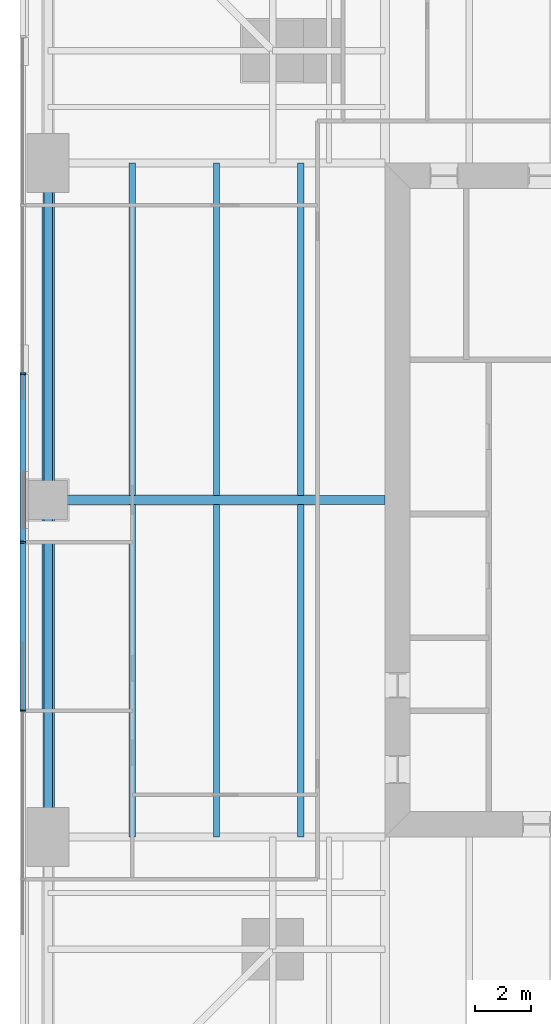
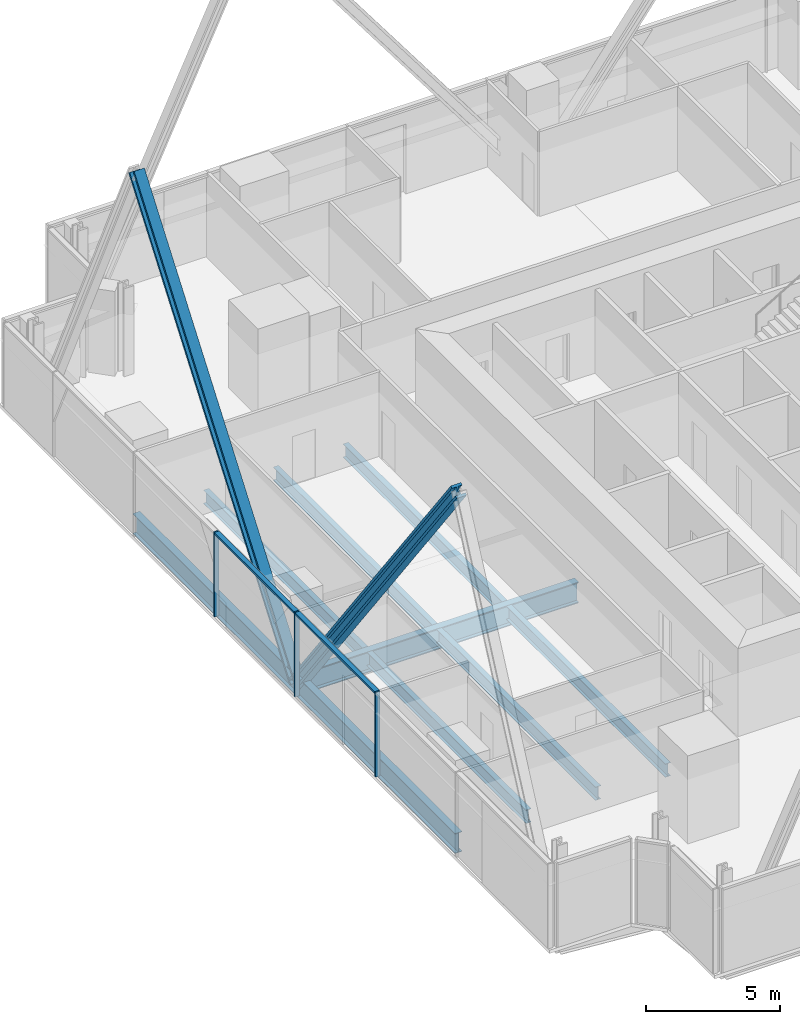
# One storey, part 4 of 13: 9 beams, 7 members, 1 element without a shape of its own.
"""IFC4 building model written with IfcOpenShell, lengths in metres."""

from ifc_helpers import new_model, si_unit, direction, frame, origin, origin_2d, place, context, subcontext, project, spatial, rectangle, i_section, extrude, material, material_profile, profile_set, type_object, element, aggregate, save


model = new_model("IFC4")

# Units and contexts
model_context = context("Model", 3, precision=1e-05, world=origin(), true_north=direction((0.0, 1.0)))
body_context = subcontext(model_context, "Body", "Model", "MODEL_VIEW")
ifc_project = project(units=[si_unit("LENGTHUNIT", "METRE"), si_unit("AREAUNIT", "SQUARE_METRE"), si_unit("VOLUMEUNIT", "CUBIC_METRE"), si_unit("PLANEANGLEUNIT", "RADIAN"), si_unit("MASSUNIT", "GRAM", prefix="KILO")], contexts=[model_context])

# Site, building, storey
site_placement = place(None, origin())
site = spatial("IfcSite", under=ifc_project, at=site_placement, CompositionType="ELEMENT")
building_placement = place(site_placement, origin())
building = spatial("IfcBuilding", under=site, at=building_placement, Name="Fenwick Lantern Interchange", CompositionType="ELEMENT")
storey_placement = place(building_placement, frame((0.0, 0.0, 114.39990234375)))
storey = spatial("IfcBuildingStorey", under=building, at=storey_placement, Name="L26", CompositionType="ELEMENT", Elevation=114.39990234375)

# Beams
ifc_material_1 = material(Name="Steel ASTM A992 Grade 50", Category="steel")
ifc_material_profile_1 = material_profile(ifc_material_1, i_section(OverallWidth=0.3046875, OverallDepth=0.911865234375, WebThickness=0.015869140625, FlangeThickness=0.02392578125, at=origin_2d()), Name="W36X150")
ifc_profile_set_1 = profile_set([ifc_material_profile_1], Name="Steel ASTM A992 Grade 50")
beam_type_1 = type_object("IfcBeamType", Name="EDGE BEAM W36X150", PredefinedType="SPANDREL", material=ifc_profile_set_1)
for number, where, z_axis, x_axis, name in (
    (1, (1.0, 37.0, -0.605712890625), (0.0, -1.0, 0.0), (1.0, 0.0, 0.0), "L26/FR/W/EB2"),
    (2, (1.0, 25.0, -0.605712890625), (0.0, -1.0, 0.0), (1.0, 0.0, 0.0), "L26/FR/W/EB3"),
):
    element("IfcBeam", number, at=place(storey_placement, frame(where, z_axis=z_axis, x_axis=x_axis)), inside=storey, type_object=beam_type_1, Name=name, PredefinedType="SPANDREL", context=body_context, shape_type="SweptSolid", body=[
        extrude(i_section(OverallWidth=0.3046875, OverallDepth=0.911865234375, WebThickness=0.015869140625, FlangeThickness=0.02392578125, at=origin_2d()), origin(), (0.0, 0.0, 1.0), 12.0),
    ])

# Members
ifc_material_profile_2 = material_profile(ifc_material_1, i_section(OverallWidth=0.44189453125, OverallDepth=0.53076171875, WebThickness=0.06591796875, FlangeThickness=0.105712890625, at=origin_2d()), Name="W14X605")
ifc_profile_set_2 = profile_set([ifc_material_profile_2], Name="Steel ASTM A992 Grade 50")
member_type_1 = type_object("IfcMemberType", Name="FACADE BRACE W14X605", PredefinedType="BRACE", material=ifc_profile_set_2)
for number, where, z_axis, x_axis, name in (
    (3, (1.0, 25.0, -0.605712890625), (0.0, 0.6, 0.8), (-1.0, 0.0, 0.0), "L26/FB/W/A"),
    (4, (1.0, 25.0, -0.605712890625), (0.0, -0.6, 0.8), (1.0, 0.0, 0.0), "L26/FB/W/B"),
):
    element("IfcMember", number, at=place(storey_placement, frame(where, z_axis=z_axis, x_axis=x_axis)), inside=storey, type_object=member_type_1, Name=name, PredefinedType="BRACE", context=body_context, shape_type="SweptSolid", body=[
        extrude(i_section(OverallWidth=0.44189453125, OverallDepth=0.53076171875, WebThickness=0.06591796875, FlangeThickness=0.105712890625, at=origin_2d()), origin(), (0.0, 0.0, 1.0), 20.0),
    ])

# Beams
ifc_material_profile_3 = material_profile(ifc_material_1, i_section(OverallWidth=0.22900390625, OverallDepth=0.612060546875, WebThickness=0.011962890625, FlangeThickness=0.01953125, at=origin_2d()), Name="W24X84")
ifc_profile_set_3 = profile_set([ifc_material_profile_3], Name="Steel ASTM A992 Grade 50")
beam_type_2 = type_object("IfcBeamType", Name="FLOOR BEAM W24X84", PredefinedType="BEAM", material=ifc_profile_set_3)
for number, where, z_axis, x_axis, name in (
    (5, (4.0, 37.0, -0.4560546875), (0.0, -1.0, 0.0), (1.0, 0.0, 0.0), "L26/FR/W/B01"),
    (6, (7.0, 37.0, -0.4560546875), (0.0, -1.0, 0.0), (1.0, 0.0, 0.0), "L26/FR/W/B02"),
    (7, (10.0, 37.0, -0.4560546875), (0.0, -1.0, 0.0), (1.0, 0.0, 0.0), "L26/FR/W/B03"),
    (8, (4.0, 24.844970703125, -0.4560546875), (0.0, -1.0, 0.0), (1.0, 0.0, 0.0), "L26/FR/W/B04"),
    (9, (7.0, 24.844970703125, -0.4560546875), (0.0, -1.0, 0.0), (1.0, 0.0, 0.0), "L26/FR/W/B05"),
    (10, (10.0, 24.844970703125, -0.4560546875), (0.0, -1.0, 0.0), (1.0, 0.0, 0.0), "L26/FR/W/B06"),
):
    element("IfcBeam", number, at=place(storey_placement, frame(where, z_axis=z_axis, x_axis=x_axis)), inside=storey, type_object=beam_type_2, Name=name, PredefinedType="BEAM", context=body_context, shape_type="SweptSolid", body=[
        extrude(i_section(OverallWidth=0.22900390625, OverallDepth=0.612060546875, WebThickness=0.011962890625, FlangeThickness=0.01953125, at=origin_2d()), origin(), (0.0, 0.0, 1.0), 11.844970703125),
    ])
ifc_material_profile_4 = material_profile(ifc_material_1, i_section(OverallWidth=0.309814453125, OverallDepth=0.949951171875, WebThickness=0.0244140625, FlangeThickness=0.0439453125, at=origin_2d()), Name="W36X256")
ifc_profile_set_4 = profile_set([ifc_material_profile_4], Name="Steel ASTM A992 Grade 50")
beam_type_3 = type_object("IfcBeamType", Name="MOMENT-CONNECTED GIRDER W36X256", PredefinedType="BEAM", material=ifc_profile_set_4)
beam_placement = place(storey_placement, frame((1.0, 25.0, -0.625), z_axis=(1.0, 0.0, 0.0), x_axis=(0.0, 1.0, 0.0)))
element("IfcBeam", 11, at=beam_placement, inside=storey, type_object=beam_type_3, Name="L26/FR/W/R02", PredefinedType="BEAM", context=body_context, shape_type="SweptSolid", body=[
    extrude(i_section(OverallWidth=0.309814453125, OverallDepth=0.949951171875, WebThickness=0.0244140625, FlangeThickness=0.0439453125, at=origin_2d()), origin(), (0.0, 0.0, 1.0), 12.0),
])

# Curtain wall, members
ifc_material_2 = material(Name="Aluminium curtain wall frame", Category="aluminium")
curtain_wall_type = type_object("IfcCurtainWallType", Name="OFFICE CURTAIN WALL", PredefinedType="USERDEFINED", material=ifc_material_2)
curtain_wall_placement = place(storey_placement, origin())
curtain_wall = element("IfcCurtainWall", 12, at=curtain_wall_placement, inside=storey, type_object=curtain_wall_type, Name="Office curtain wall 13", ObjectType="OFFICE CURTAIN WALL", PredefinedType="USERDEFINED")
ifc_material_3 = material(Name="Aluminium extrusion", Category="aluminium")
ifc_material_profile_5 = material_profile(ifc_material_3, rectangle(XDim=0.199951171875, YDim=0.06494140625, at=origin_2d()), Name="OFFICE CURTAIN WALL MULLION 65 X 200")
ifc_profile_set_5 = profile_set([ifc_material_profile_5], Name="Aluminium extrusion")
member_type_2 = type_object("IfcMemberType", Name="OFFICE CURTAIN WALL MULLION 65 X 200", PredefinedType="MULLION", material=ifc_profile_set_5)
member_1_placement = place(storey_placement, frame((0.10009765625, 29.5, 0.0), z_axis=(0.0, 0.0, 1.0), x_axis=(1.0, 0.0, 0.0)))
member_1 = element("IfcMember", 13, at=member_1_placement, type_object=member_type_2, Name="L26/CW/13/M03", PredefinedType="MULLION", context=body_context, shape_type="SweptSolid", body=[
    extrude(rectangle(XDim=0.199951171875, YDim=0.06494140625, at=origin_2d()), origin(), (0.0, 0.0, 1.0), 3.85009765625),
])
member_2_placement = place(storey_placement, frame((0.10009765625, 23.5, 0.0), z_axis=(0.0, 0.0, 1.0), x_axis=(1.0, 0.0, 0.0)))
member_2 = element("IfcMember", 14, at=member_2_placement, type_object=member_type_2, Name="L26/CW/13/M04", PredefinedType="MULLION", context=body_context, shape_type="SweptSolid", body=[
    extrude(rectangle(XDim=0.199951171875, YDim=0.06494140625, at=origin_2d()), origin(), (0.0, 0.0, 1.0), 3.85009765625),
])
member_3_placement = place(storey_placement, frame((0.10009765625, 17.5, 0.0), z_axis=(0.0, 0.0, 1.0), x_axis=(1.0, 0.0, 0.0)))
member_3 = element("IfcMember", 15, at=member_3_placement, type_object=member_type_2, Name="L26/CW/13/M05", PredefinedType="MULLION", context=body_context, shape_type="SweptSolid", body=[
    extrude(rectangle(XDim=0.199951171875, YDim=0.06494140625, at=origin_2d()), origin(), (0.0, 0.0, 1.0), 3.85009765625),
])
ifc_material_profile_6 = material_profile(ifc_material_3, rectangle(XDim=0.199951171875, YDim=0.10009765625, at=origin_2d()), Name="OFFICE CURTAIN WALL TRANSOM 100 X 200")
ifc_profile_set_6 = profile_set([ifc_material_profile_6], Name="Aluminium extrusion")
member_type_3 = type_object("IfcMemberType", Name="OFFICE CURTAIN WALL TRANSOM 100 X 200", PredefinedType="MULLION", material=ifc_profile_set_6)
member_4_placement = place(storey_placement, frame((0.10009765625, 29.467529296875, 3.800048828125), z_axis=(0.0, -1.0, 0.0), x_axis=(1.0, 0.0, 0.0)))
member_4 = element("IfcMember", 16, at=member_4_placement, type_object=member_type_3, Name="L26/CW/13/T03", PredefinedType="MULLION", context=body_context, shape_type="SweptSolid", body=[
    extrude(rectangle(XDim=0.199951171875, YDim=0.10009765625, at=origin_2d()), origin(), (0.0, 0.0, 1.0), 5.93505859375),
])
member_5_placement = place(storey_placement, frame((0.10009765625, 23.467529296875, 3.800048828125), z_axis=(0.0, -1.0, 0.0), x_axis=(1.0, 0.0, 0.0)))
member_5 = element("IfcMember", 17, at=member_5_placement, type_object=member_type_3, Name="L26/CW/13/T04", PredefinedType="MULLION", context=body_context, shape_type="SweptSolid", body=[
    extrude(rectangle(XDim=0.199951171875, YDim=0.10009765625, at=origin_2d()), origin(), (0.0, 0.0, 1.0), 5.93505859375),
])
aggregate(curtain_wall, [member_1, member_2, member_3, member_4, member_5])

save(model, "model.ifc")
